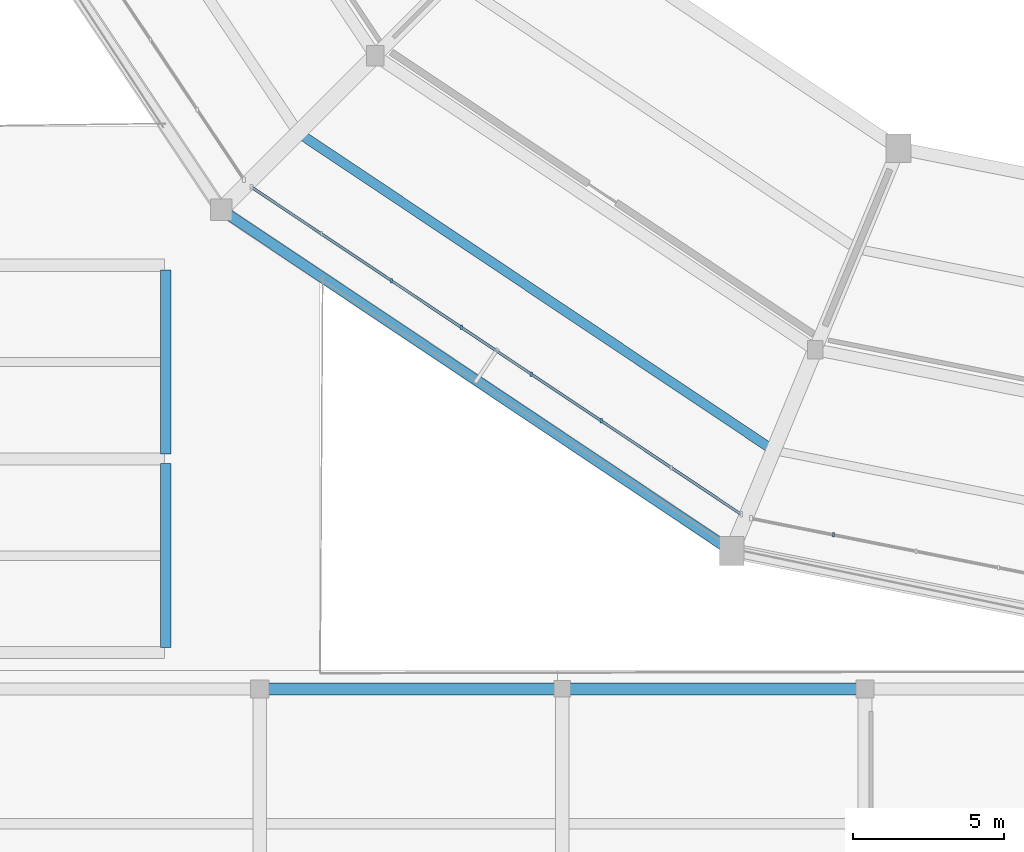
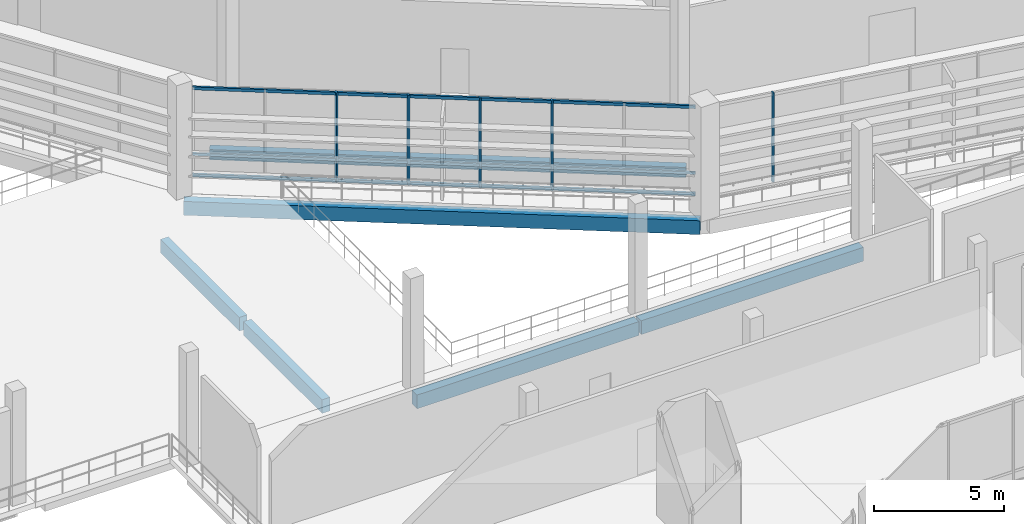
# One storey, part 10 of 111: 8 members, 6 beams, 2 elements without a shape of their own.
"""IFC4 building model written with IfcOpenShell, lengths in metres."""

from ifc_helpers import new_model, si_unit, direction, frame, origin, origin_2d, place, context, subcontext, project, spatial, rectangle, extrude, material, material_profile, profile_set, type_object, element, aggregate, save


model = new_model("IFC4")

# Units and contexts
model_context = context("Model", 3, precision=1e-05, world=origin(), true_north=direction((0.0, 1.0)))
body_context = subcontext(model_context, "Body", "Model", "MODEL_VIEW")
ifc_project = project(units=[si_unit("LENGTHUNIT", "METRE"), si_unit("AREAUNIT", "SQUARE_METRE"), si_unit("VOLUMEUNIT", "CUBIC_METRE"), si_unit("PLANEANGLEUNIT", "RADIAN"), si_unit("MASSUNIT", "GRAM", prefix="KILO")], contexts=[model_context])

# Site, building, storey
site_placement = place(None, origin())
site = spatial("IfcSite", under=ifc_project, at=site_placement, CompositionType="ELEMENT")
building_placement = place(site_placement, origin())
building = spatial("IfcBuilding", under=site, at=building_placement, Name="Candeia Ridge Stadium", CompositionType="ELEMENT")
storey_placement = place(building_placement, frame((0.0, 0.0, 16.199951171875)))
storey = spatial("IfcBuildingStorey", under=building, at=storey_placement, Name="L03", CompositionType="ELEMENT", Elevation=16.199951171875)

# Curtain wall, members
ifc_material_1 = material(Name="Aluminium Anodized Warm Bronze", Category="aluminium")
curtain_wall_type = type_object("IfcCurtainWallType", Name="Concourse Recessed Unitised Curtain Wall", PredefinedType="NOTDEFINED", material=ifc_material_1)
curtain_wall_1_placement = place(storey_placement, origin())
curtain_wall_1 = element("IfcCurtainWall", 1, at=curtain_wall_1_placement, inside=storey, type_object=curtain_wall_type, Name="Unitised curtain wall CW-BWL-L03-16", PredefinedType="NOTDEFINED")
ifc_material_profile_1 = material_profile(ifc_material_1, rectangle(XDim=0.074951171875, YDim=0.14990234375, at=origin_2d()), Name="CWM-75x150", Category="aluminium")
ifc_profile_set_1 = profile_set([ifc_material_profile_1], Name="Aluminium Anodized Warm Bronze")
member_type_1 = type_object("IfcMemberType", Name="Curtain Wall Secondary Mullion 75x150", PredefinedType="MULLION", material=ifc_profile_set_1)
member_1_placement = place(storey_placement, frame((39.851806640625, 31.889892578125, 0.0), z_axis=(0.0, 0.0, 1.0), x_axis=(1.0, 0.0, 0.0)))
member_1 = element("IfcMember", 2, at=member_1_placement, type_object=member_type_1, Name="Curtain wall mullion CW-BWL-L03-16-M2", PredefinedType="MULLION", context=body_context, shape_type="SweptSolid", body=[
    extrude(rectangle(XDim=0.074951171875, YDim=0.14990234375, at=origin_2d()), origin(), (0.0, 0.0, 1.0), 4.2451171875),
])
member_2_placement = place(storey_placement, frame((42.16357421875, 30.34521484375, 0.0), z_axis=(0.0, 0.0, 1.0), x_axis=(1.0, 0.0, 0.0)))
member_2 = element("IfcMember", 3, at=member_2_placement, type_object=member_type_1, Name="Curtain wall mullion CW-BWL-L03-16-M3", PredefinedType="MULLION", context=body_context, shape_type="SweptSolid", body=[
    extrude(rectangle(XDim=0.074951171875, YDim=0.14990234375, at=origin_2d()), origin(), (0.0, 0.0, 1.0), 4.2451171875),
])
member_3_placement = place(storey_placement, frame((44.47509765625, 28.80078125, 0.0), z_axis=(0.0, 0.0, 1.0), x_axis=(1.0, 0.0, 0.0)))
member_3 = element("IfcMember", 4, at=member_3_placement, type_object=member_type_1, Name="Curtain wall mullion CW-BWL-L03-16-M4", PredefinedType="MULLION", context=body_context, shape_type="SweptSolid", body=[
    extrude(rectangle(XDim=0.074951171875, YDim=0.14990234375, at=origin_2d()), origin(), (0.0, 0.0, 1.0), 4.2451171875),
])
member_4_placement = place(storey_placement, frame((46.78662109375, 27.256103515625, 0.0), z_axis=(0.0, 0.0, 1.0), x_axis=(1.0, 0.0, 0.0)))
member_4 = element("IfcMember", 5, at=member_4_placement, type_object=member_type_1, Name="Curtain wall mullion CW-BWL-L03-16-M5", PredefinedType="MULLION", context=body_context, shape_type="SweptSolid", body=[
    extrude(rectangle(XDim=0.074951171875, YDim=0.14990234375, at=origin_2d()), origin(), (0.0, 0.0, 1.0), 4.2451171875),
])

# Curtain wall, member
curtain_wall_2_placement = place(storey_placement, origin())
curtain_wall_2 = element("IfcCurtainWall", 6, at=curtain_wall_2_placement, inside=storey, type_object=curtain_wall_type, Name="Unitised curtain wall CW-BWL-L03-17", PredefinedType="NOTDEFINED")
member_5_placement = place(storey_placement, frame((54.462890625, 23.489501953125, 0.0), z_axis=(0.0, 0.0, 1.0), x_axis=(1.0, 0.0, 0.0)))
member_5 = element("IfcMember", 7, at=member_5_placement, type_object=member_type_1, Name="Curtain wall mullion CW-BWL-L03-17-M1", PredefinedType="MULLION", context=body_context, shape_type="SweptSolid", body=[
    extrude(rectangle(XDim=0.074951171875, YDim=0.14990234375, at=origin_2d()), origin(), (0.0, 0.0, 1.0), 4.205078125),
])
aggregate(curtain_wall_2, [member_5])

# Member
ifc_material_profile_2 = material_profile(ifc_material_1, rectangle(XDim=0.074951171875, YDim=0.110107421875, at=origin_2d()), Name="CWT-75x110", Category="aluminium")
ifc_profile_set_2 = profile_set([ifc_material_profile_2], Name="Aluminium Anodized Warm Bronze")
member_type_2 = type_object("IfcMemberType", Name="Curtain Wall Secondary Transom 75x110", PredefinedType="USERDEFINED", material=ifc_profile_set_2)
member_6_placement = place(storey_placement, frame((35.228515625, 34.97900390625, 1.061279296875), z_axis=(0.831470840517, -0.555568394863, 0.0), x_axis=(0.555568394863, 0.831470840517, 0.0)))
member_6 = element("IfcMember", 8, at=member_6_placement, type_object=member_type_2, Name="Curtain wall transom CW-BWL-L03-16-T1", ObjectType="TRANSOM", PredefinedType="USERDEFINED", context=body_context, shape_type="SweptSolid", body=[
    extrude(rectangle(XDim=0.074951171875, YDim=0.110107421875, at=origin_2d()), origin(), (0.0, 0.0, 1.0), 19.461181640625),
])

ifc_material_profile_3 = material_profile(ifc_material_1, rectangle(XDim=0.090087890625, YDim=0.139892578125, at=origin_2d()), Name="CWT-90x140", Category="aluminium")
ifc_profile_set_3 = profile_set([ifc_material_profile_3], Name="Aluminium Anodized Warm Bronze")
member_type_3 = type_object("IfcMemberType", Name="Curtain Wall Transom 90x140", PredefinedType="USERDEFINED", material=ifc_profile_set_3)
member_7_placement = place(storey_placement, frame((35.228515625, 34.97900390625, 0.070068359375), z_axis=(0.831470840517, -0.555568394863, 0.0), x_axis=(0.555568394863, 0.831470840517, 0.0)))
member_7 = element("IfcMember", 9, at=member_7_placement, type_object=member_type_3, Name="Curtain wall transom CW-BWL-L03-16-T0", ObjectType="TRANSOM", PredefinedType="USERDEFINED", context=body_context, shape_type="SweptSolid", body=[
    extrude(rectangle(XDim=0.090087890625, YDim=0.139892578125, at=origin_2d()), origin(), (0.0, 0.0, 1.0), 19.461181640625),
])

member_8_placement = place(storey_placement, frame((35.228515625, 34.97900390625, 4.175048828125), z_axis=(0.831470840517, -0.555568394863, 0.0), x_axis=(0.555568394863, 0.831470840517, 0.0)))
member_8 = element("IfcMember", 10, at=member_8_placement, type_object=member_type_3, Name="Curtain wall transom CW-BWL-L03-16-T2", ObjectType="TRANSOM", PredefinedType="USERDEFINED", context=body_context, shape_type="SweptSolid", body=[
    extrude(rectangle(XDim=0.090087890625, YDim=0.139892578125, at=origin_2d()), origin(), (0.0, 0.0, 1.0), 19.461181640625),
])

aggregate(curtain_wall_1, [member_1, member_2, member_3, member_4, member_7, member_6, member_8])

# Beams
ifc_material_2 = material(Name="Concrete C40/50", Category="concrete")
ifc_material_profile_4 = material_profile(ifc_material_2, rectangle(XDim=0.320068359375, YDim=0.47998046875, at=origin_2d()), Name="RC320x480", Category="concrete")
ifc_profile_set_4 = profile_set([ifc_material_profile_4], Name="Concrete C40/50")
beam_type_1 = type_object("IfcBeamType", Name="Floor Joist RC320x480", PredefinedType="JOIST", material=ifc_profile_set_4)
beam_1_placement = place(storey_placement, frame((36.960693359375, 36.652587890625, -0.489990234375), z_axis=(0.831467306639, -0.555573683674, 0.0), x_axis=(0.555573683674, 0.831467306639, 0.0)))
element("IfcBeam", 11, at=beam_1_placement, inside=storey, type_object=beam_type_1, Name="Concourse secondary joist BM-L03-0632", PredefinedType="JOIST", context=body_context, shape_type="SweptSolid", body=[
    extrude(rectangle(XDim=0.320068359375, YDim=0.47998046875, at=origin_2d()), origin(), (0.0, 0.0, 1.0), 18.440673828125),
])
ifc_material_profile_5 = material_profile(ifc_material_2, rectangle(XDim=0.35009765625, YDim=0.64990234375, at=origin_2d()), Name="RC350x650", Category="concrete")
ifc_profile_set_5 = profile_set([ifc_material_profile_5], Name="Concrete C40/50")
beam_type_2 = type_object("IfcBeamType", Name="Spandrel Beam RC350x650", PredefinedType="SPANDREL", material=ifc_profile_set_5)
beam_2_placement = place(storey_placement, frame((34.363525390625, 34.1416015625, -0.574951171875), z_axis=(0.831468647505, -0.555571676938, 0.0), x_axis=(0.555571676938, 0.831468647505, 0.0)))
element("IfcBeam", 12, at=beam_2_placement, inside=storey, type_object=beam_type_2, Name="Bowl perimeter spandrel BM-L03-0630", PredefinedType="SPANDREL", context=body_context, shape_type="SweptSolid", body=[
    extrude(rectangle(XDim=0.35009765625, YDim=0.64990234375, at=origin_2d()), origin(), (0.0, 0.0, 1.0), 19.969482421875),
])
for number, where, z_axis, x_axis, name in (
    (13, (32.39990234375, 19.760009765625, -0.574951171875), (0.0, 1.0, 0.0), (-1.0, 0.0, 0.0), "Structural girder BM-L03-2404"),
    (14, (32.39990234375, 26.159912109375, -0.574951171875), (0.0, 1.0, 0.0), (-1.0, 0.0, 0.0), "Structural girder BM-L03-2405"),
):
    element("IfcBeam", number, at=place(storey_placement, frame(where, z_axis=z_axis, x_axis=x_axis)), inside=storey, type_object=beam_type_2, Name=name, PredefinedType="SPANDREL", context=body_context, shape_type="SweptSolid", body=[
        extrude(rectangle(XDim=0.35009765625, YDim=0.64990234375, at=origin_2d()), origin(), (0.0, 0.0, 1.0), 6.080078125),
    ])
ifc_material_profile_6 = material_profile(ifc_material_2, rectangle(XDim=0.39990234375, YDim=0.64990234375, at=origin_2d()), Name="RC400x650", Category="concrete")
ifc_profile_set_6 = profile_set([ifc_material_profile_6], Name="Concrete C40/50")
beam_type_3 = type_object("IfcBeamType", Name="Wing Primary Girder RC400x650", PredefinedType="BEAM", material=ifc_profile_set_6)
for number, where, z_axis, x_axis, name in (
    (15, (35.550048828125, 18.39990234375, -0.574951171875), (1.0, 0.0, 0.0), (0.0, 1.0, 0.0), "Structural girder BM-L03-2299"),
    (16, (45.550048828125, 18.39990234375, -0.574951171875), (1.0, 0.0, 0.0), (0.0, 1.0, 0.0), "Structural girder BM-L03-2304"),
):
    element("IfcBeam", number, at=place(storey_placement, frame(where, z_axis=z_axis, x_axis=x_axis)), inside=storey, type_object=beam_type_3, Name=name, PredefinedType="BEAM", context=body_context, shape_type="SweptSolid", body=[
        extrude(rectangle(XDim=0.39990234375, YDim=0.64990234375, at=origin_2d()), origin(), (0.0, 0.0, 1.0), 9.89990234375),
    ])

save(model, "model.ifc")
